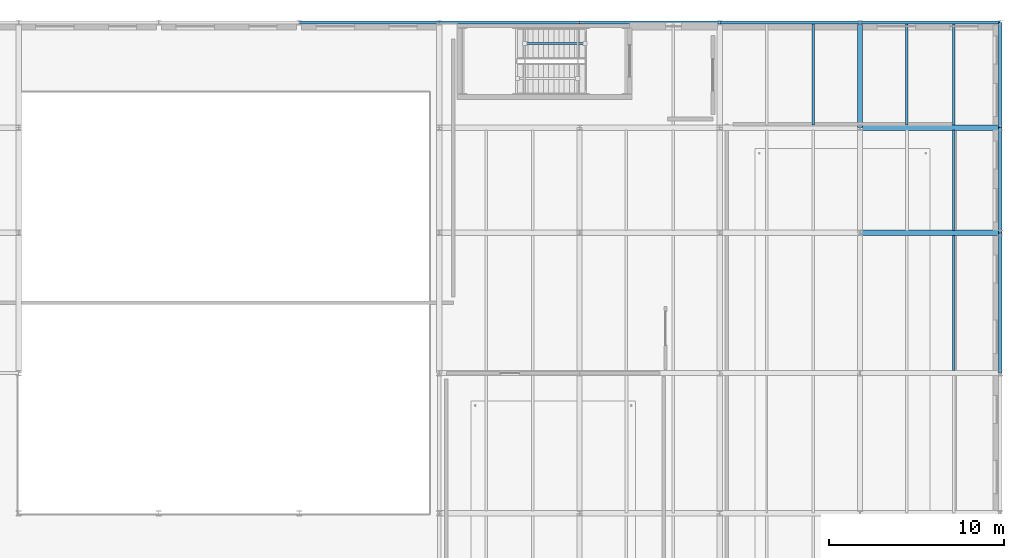
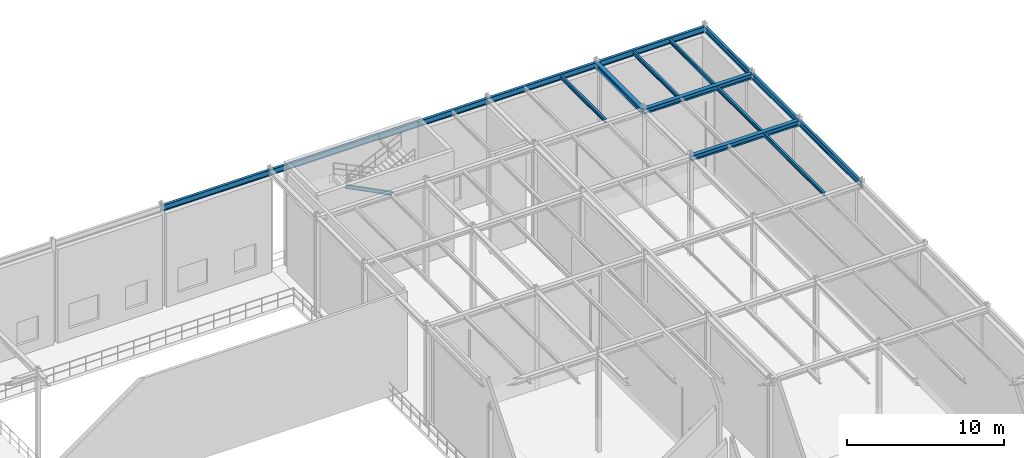
# One storey, part 72 of 138: 16 beams, 1 member.
"""IFC4 building model written with IfcOpenShell, lengths in metres."""

from ifc_helpers import new_model, si_unit, direction, frame, origin, origin_2d, place, context, subcontext, project, spatial, i_section, extrude, material, material_profile, profile_set, type_object, element, save


model = new_model("IFC4")

# Units and contexts
model_context = context("Model", 3, precision=1e-05, world=origin(), true_north=direction((0.0, 1.0)))
body_context = subcontext(model_context, "Body", "Model", "MODEL_VIEW")
ifc_project = project(units=[si_unit("LENGTHUNIT", "METRE"), si_unit("AREAUNIT", "SQUARE_METRE"), si_unit("VOLUMEUNIT", "CUBIC_METRE"), si_unit("PLANEANGLEUNIT", "RADIAN"), si_unit("MASSUNIT", "GRAM", prefix="KILO")], contexts=[model_context])

# Site, building, storey
site_placement = place(None, origin())
site = spatial("IfcSite", under=ifc_project, at=site_placement, CompositionType="ELEMENT")
building_placement = place(site_placement, origin())
building = spatial("IfcBuilding", under=site, at=building_placement, Name="Sundkrona Museum", CompositionType="ELEMENT")
storey_placement = place(building_placement, frame((0.0, 0.0, 9.60009765625)))
storey = spatial("IfcBuildingStorey", under=building, at=storey_placement, Name="L02", CompositionType="ELEMENT", Elevation=9.60009765625)

# Beams
ifc_material = material(Name="Steel S355J2", Category="steel")
ifc_material_profile_1 = material_profile(ifc_material, i_section(OverallWidth=0.300048828125, OverallDepth=0.389892578125, WebThickness=0.010986328125, FlangeThickness=0.01904296875, FilletRadius=0.027099609375, at=origin_2d()), Name="HEA 400")
ifc_profile_set_1 = profile_set([ifc_material_profile_1], Name="Steel S355J2")
beam_type_1 = type_object("IfcBeamType", Name="B-HEA400", PredefinedType="BEAM", material=ifc_profile_set_1)
for number, where, z_axis, x_axis, name in (
    (1, (160.0, 102.0, 7.5048828125), (1.0, 0.0, 0.0), (0.0, 1.0, 0.0), "L02 Girder X-1236"),
    (2, (160.0, 108.0, 7.5048828125), (1.0, 0.0, 0.0), (0.0, 1.0, 0.0), "L02 Girder X-1249"),
):
    element("IfcBeam", number, at=place(storey_placement, frame(where, z_axis=z_axis, x_axis=x_axis)), inside=storey, type_object=beam_type_1, Name=name, PredefinedType="BEAM", context=body_context, shape_type="SweptSolid", body=[
        extrude(i_section(OverallWidth=0.300048828125, OverallDepth=0.389892578125, WebThickness=0.010986328125, FlangeThickness=0.01904296875, FilletRadius=0.027099609375, at=origin_2d()), origin(), (0.0, 0.0, 1.0), 8.0),
    ])
beam_1_placement = place(storey_placement, frame((160.0, 108.0, 7.5048828125), z_axis=(0.0, 1.0, 0.0), x_axis=(-1.0, 0.0, 0.0)))
element("IfcBeam", 3, at=beam_1_placement, inside=storey, type_object=beam_type_1, Name="L02 Girder Y-1394", PredefinedType="BEAM", context=body_context, shape_type="SweptSolid", body=[
    extrude(i_section(OverallWidth=0.300048828125, OverallDepth=0.389892578125, WebThickness=0.010986328125, FlangeThickness=0.01904296875, FilletRadius=0.027099609375, at=origin_2d()), origin(), (0.0, 0.0, 1.0), 6.0),
])

# Member
ifc_material_profile_2 = material_profile(ifc_material, i_section(OverallWidth=0.135009765625, OverallDepth=0.27001953125, WebThickness=0.006591796875, FlangeThickness=0.01025390625, FilletRadius=0.014892578125, at=origin_2d()), Name="IPE 270")
ifc_profile_set_2 = profile_set([ifc_material_profile_2], Name="Steel S355J2")
member_type = type_object("IfcMemberType", Name="BR-IPE270", PredefinedType="BRACE", material=ifc_profile_set_2)
member_placement = place(storey_placement, frame((144.300048828125, 112.800048828125, 3.679931640625), z_axis=(-0.891672672484, 0.0, 0.452680732022), x_axis=(0.0, -1.0, 0.0)))
element("IfcMember", 4, at=member_placement, inside=storey, type_object=member_type, Name="SRK-1 L02 ST-5 Flight 3 Inclined Carriage Raker", PredefinedType="BRACE", context=body_context, shape_type="SweptSolid", body=[
    extrude(i_section(OverallWidth=0.135009765625, OverallDepth=0.27001953125, WebThickness=0.006591796875, FlangeThickness=0.01025390625, FilletRadius=0.014892578125, at=origin_2d()), origin(), (0.0, 0.0, 1.0), 3.852294921875),
])

# Beams
ifc_material_profile_3 = material_profile(ifc_material, i_section(OverallWidth=0.14990234375, OverallDepth=0.300048828125, WebThickness=0.007080078125, FlangeThickness=0.0107421875, FilletRadius=0.014892578125, at=origin_2d()), Name="IPE 300")
ifc_profile_set_3 = profile_set([ifc_material_profile_3], Name="Steel S355J2")
beam_type_2 = type_object("IfcBeamType", Name="J-IPE300", PredefinedType="JOIST", material=ifc_profile_set_3)
beam_2_placement = place(storey_placement, frame((157.333251953125, 108.14404296875, 7.5498046875), z_axis=(0.0, 1.0, 0.0), x_axis=(-1.0, 0.0, 0.0)))
element("IfcBeam", 5, at=beam_2_placement, inside=storey, type_object=beam_type_2, Name="L02 Composite Joist 0942", PredefinedType="JOIST", context=body_context, shape_type="SweptSolid", body=[
    extrude(i_section(OverallWidth=0.14990234375, OverallDepth=0.300048828125, WebThickness=0.007080078125, FlangeThickness=0.0107421875, FilletRadius=0.014892578125, at=origin_2d()), origin(), (0.0, 0.0, 1.0), 5.766845703125),
])
beam_3_placement = place(storey_placement, frame((165.333251953125, 94.14404296875, 7.5498046875), z_axis=(0.0, 1.0, 0.0), x_axis=(-1.0, 0.0, 0.0)))
element("IfcBeam", 6, at=beam_3_placement, inside=storey, type_object=beam_type_2, Name="L02 Composite Joist 0964", PredefinedType="JOIST", context=body_context, shape_type="SweptSolid", body=[
    extrude(i_section(OverallWidth=0.14990234375, OverallDepth=0.300048828125, WebThickness=0.007080078125, FlangeThickness=0.0107421875, FilletRadius=0.014892578125, at=origin_2d()), origin(), (0.0, 0.0, 1.0), 7.7119140625),
])
beam_4_placement = place(storey_placement, frame((165.333251953125, 102.14404296875, 7.5498046875), z_axis=(0.0, 1.0, 0.0), x_axis=(-1.0, 0.0, 0.0)))
element("IfcBeam", 7, at=beam_4_placement, inside=storey, type_object=beam_type_2, Name="L02 Composite Joist 0966", PredefinedType="JOIST", context=body_context, shape_type="SweptSolid", body=[
    extrude(i_section(OverallWidth=0.14990234375, OverallDepth=0.300048828125, WebThickness=0.007080078125, FlangeThickness=0.0107421875, FilletRadius=0.014892578125, at=origin_2d()), origin(), (0.0, 0.0, 1.0), 5.7119140625),
])
for number, where, z_axis, x_axis, name in (
    (8, (162.666748046875, 108.14404296875, 7.5498046875), (0.0, 1.0, 0.0), (-1.0, 0.0, 0.0), "L02 Composite Joist 0967"),
    (9, (165.333251953125, 108.14404296875, 7.5498046875), (0.0, 1.0, 0.0), (-1.0, 0.0, 0.0), "L02 Composite Joist 0968"),
):
    element("IfcBeam", number, at=place(storey_placement, frame(where, z_axis=z_axis, x_axis=x_axis)), inside=storey, type_object=beam_type_2, Name=name, PredefinedType="JOIST", context=body_context, shape_type="SweptSolid", body=[
        extrude(i_section(OverallWidth=0.14990234375, OverallDepth=0.300048828125, WebThickness=0.007080078125, FlangeThickness=0.0107421875, FilletRadius=0.014892578125, at=origin_2d()), origin(), (0.0, 0.0, 1.0), 5.766845703125),
    ])
ifc_material_profile_4 = material_profile(ifc_material, i_section(OverallWidth=0.18994140625, OverallDepth=0.449951171875, WebThickness=0.009521484375, FlangeThickness=0.0146484375, FilletRadius=0.02099609375, at=origin_2d()), Name="IPE 450")
ifc_profile_set_4 = profile_set([ifc_material_profile_4], Name="Steel S355J2")
beam_type_3 = type_object("IfcBeamType", Name="SP-IPE450", PredefinedType="SPANDREL", material=ifc_profile_set_4)
for number, where, z_axis, x_axis, name in (
    (10, (128.0, 114.0, 7.514892578125), (1.0, 0.0, 0.0), (0.0, 1.0, 0.0), "L02 Girder X-1261"),
    (11, (136.0, 114.0, 7.514892578125), (1.0, 0.0, 0.0), (0.0, 1.0, 0.0), "L02 Girder X-1262"),
    (12, (144.0, 114.0, 7.474853515625), (1.0, 0.0, 0.0), (0.0, 1.0, 0.0), "L02 Girder X-1263"),
    (13, (152.0, 114.0, 7.474853515625), (1.0, 0.0, 0.0), (0.0, 1.0, 0.0), "L02 Girder X-1264"),
    (14, (160.0, 114.0, 7.474853515625), (1.0, 0.0, 0.0), (0.0, 1.0, 0.0), "L02 Girder X-1265"),
    (15, (168.0, 94.0, 7.474853515625), (0.0, 1.0, 0.0), (-1.0, 0.0, 0.0), "L02 Girder Y-1407"),
):
    element("IfcBeam", number, at=place(storey_placement, frame(where, z_axis=z_axis, x_axis=x_axis)), inside=storey, type_object=beam_type_3, Name=name, PredefinedType="SPANDREL", context=body_context, shape_type="SweptSolid", body=[
        extrude(i_section(OverallWidth=0.18994140625, OverallDepth=0.449951171875, WebThickness=0.009521484375, FlangeThickness=0.0146484375, FilletRadius=0.02099609375, at=origin_2d()), origin(), (0.0, 0.0, 1.0), 8.0),
    ])
for number, where, z_axis, x_axis, name in (
    (16, (168.0, 102.0, 7.474853515625), (0.0, 1.0, 0.0), (-1.0, 0.0, 0.0), "L02 Girder Y-1408"),
    (17, (168.0, 108.0, 7.474853515625), (0.0, 1.0, 0.0), (-1.0, 0.0, 0.0), "L02 Girder Y-1409"),
):
    element("IfcBeam", number, at=place(storey_placement, frame(where, z_axis=z_axis, x_axis=x_axis)), inside=storey, type_object=beam_type_3, Name=name, PredefinedType="SPANDREL", context=body_context, shape_type="SweptSolid", body=[
        extrude(i_section(OverallWidth=0.18994140625, OverallDepth=0.449951171875, WebThickness=0.009521484375, FlangeThickness=0.0146484375, FilletRadius=0.02099609375, at=origin_2d()), origin(), (0.0, 0.0, 1.0), 6.0),
    ])

save(model, "model.ifc")
